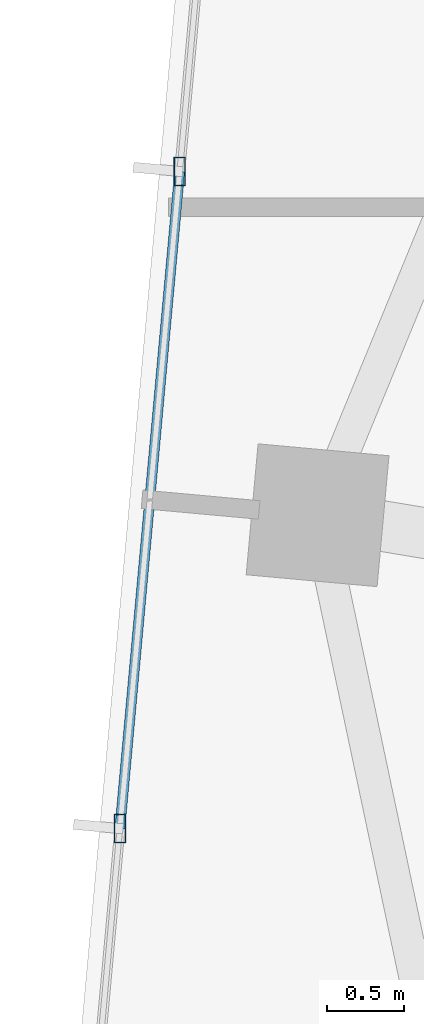
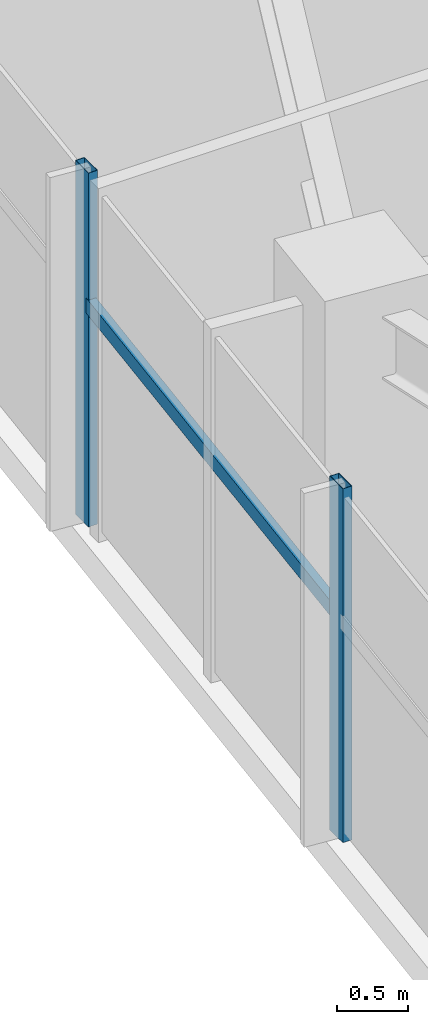
# One storey, part 4 of 22: 3 members, 1 element without a shape of its own.
"""IFC4 building model written with IfcOpenShell, lengths in metres."""

from ifc_helpers import new_model, si_unit, direction, frame, origin, origin_2d, place, context, subcontext, project, spatial, hollow_rectangle, extrude, source, transform, mapped, material, material_profile, profile_set, type_object, type_shapes, element, aggregate, save


model = new_model("IFC4")

# Units and contexts
model_context = context("Model", 3, precision=1e-05, world=origin(), true_north=direction((0.0, 1.0)))
body_context = subcontext(model_context, "Body", "Model", "MODEL_VIEW")
ifc_project = project(units=[si_unit("LENGTHUNIT", "METRE"), si_unit("AREAUNIT", "SQUARE_METRE"), si_unit("VOLUMEUNIT", "CUBIC_METRE"), si_unit("PLANEANGLEUNIT", "RADIAN"), si_unit("MASSUNIT", "GRAM", prefix="KILO")], contexts=[model_context])

# Site, building, storey
site_placement = place(None, origin())
site = spatial("IfcSite", under=ifc_project, at=site_placement, CompositionType="ELEMENT")
building_placement = place(site_placement, origin())
building = spatial("IfcBuilding", under=site, at=building_placement, Name="Astriad Promenade Condominiums", CompositionType="ELEMENT")
storey_placement = place(building_placement, frame((0.0, 0.0, 233.10009765625)))
storey = spatial("IfcBuildingStorey", under=building, at=storey_placement, Name="L67", CompositionType="ELEMENT", Elevation=233.10009765625)

# Curtain wall, members
ifc_material_1 = material(Name="Anodised aluminium Black Dark Glass Unitised", Category="aluminium")
curtain_wall_type = type_object("IfcCurtainWallType", Name="CW-B5-DARK", PredefinedType="USERDEFINED", material=ifc_material_1)
curtain_wall_placement = place(storey_placement, origin())
curtain_wall = element("IfcCurtainWall", 1, at=curtain_wall_placement, inside=storey, type_object=curtain_wall_type, Name="CW-L67-W", ObjectType="UNITISED_CURTAIN_WALL", PredefinedType="USERDEFINED")
ifc_material_2 = material(Name="Anodised aluminium 6063-T6 Black", Category="aluminium")
ifc_material_profile_1 = material_profile(ifc_material_2, hollow_rectangle(XDim=0.074951171875, YDim=0.18505859375, WallThickness=0.00439453125, at=origin_2d()), Name="ALU-MUL-75X185")
ifc_profile_set_1 = profile_set([ifc_material_profile_1], Name="Anodised aluminium 6063-T6 Black")
member_type_1 = type_object("IfcMemberType", Name="MUL-ALU-MUL-75X185", PredefinedType="MULLION", material=ifc_profile_set_1)
shared_shape_1 = source(origin(), body_context, "Body", "SweptSolid", [
    extrude(hollow_rectangle(XDim=0.074951171875, YDim=0.18505859375, WallThickness=0.00439453125, at=origin_2d()), origin(), (0.0, 0.0, 1.0), 3.039794921875),
])
type_shapes(member_type_1, [shared_shape_1])
member_1_placement = place(storey_placement, frame((9.4326171875, 17.984375, 0.0), z_axis=(0.0, 0.0, 1.0), x_axis=(1.0, 0.0, 0.0)))
member_1 = element("IfcMember", 2, at=member_1_placement, type_object=member_type_1, Name="CW-L67-W-MUL-01", PredefinedType="MULLION", context=body_context, shape_type="MappedRepresentation", body=[
    mapped(shared_shape_1, transform((0.0, 0.0, 0.0), scale=1.0)),
])
member_2_placement = place(storey_placement, frame((9.819091796875, 22.233642578125, 0.0), z_axis=(0.0, 0.0, 1.0), x_axis=(1.0, 0.0, 0.0)))
member_2 = element("IfcMember", 3, at=member_2_placement, type_object=member_type_1, Name="CW-L67-W-MUL-02", PredefinedType="MULLION", context=body_context, shape_type="MappedRepresentation", body=[
    mapped(shared_shape_1, transform((0.0, 0.0, 0.0), scale=1.0)),
])
ifc_material_profile_2 = material_profile(ifc_material_2, hollow_rectangle(XDim=0.06494140625, YDim=0.1298828125, WallThickness=0.00390625, at=origin_2d()), Name="ALU-TRN-65X130")
ifc_profile_set_2 = profile_set([ifc_material_profile_2], Name="Anodised aluminium 6063-T6 Black")
member_type_2 = type_object("IfcMemberType", Name="TRN-ALU-TRN-65X130", PredefinedType="USERDEFINED", material=ifc_profile_set_2)
shared_shape_2 = source(origin(), body_context, "Body", "SweptSolid", [
    extrude(hollow_rectangle(XDim=0.06494140625, YDim=0.1298828125, WallThickness=0.00390625, at=origin_2d()), origin(), (0.0, 0.0, 1.0), 4.266845703125),
])
type_shapes(member_type_2, [shared_shape_2])
member_3_placement = place(storey_placement, frame((9.4326171875, 17.984375, 1.884765625), z_axis=(0.090577018386, 0.995889453574, 0.0), x_axis=(-0.995889453574, 0.090577018386, 0.0)))
member_3 = element("IfcMember", 4, at=member_3_placement, type_object=member_type_2, Name="CW-L67-W-TRN-01-0", ObjectType="TRANSOM", PredefinedType="USERDEFINED", context=body_context, shape_type="MappedRepresentation", body=[
    mapped(shared_shape_2, transform((0.0, 0.0, 0.0), scale=1.0)),
])
aggregate(curtain_wall, [member_1, member_2, member_3])

save(model, "model.ifc")
